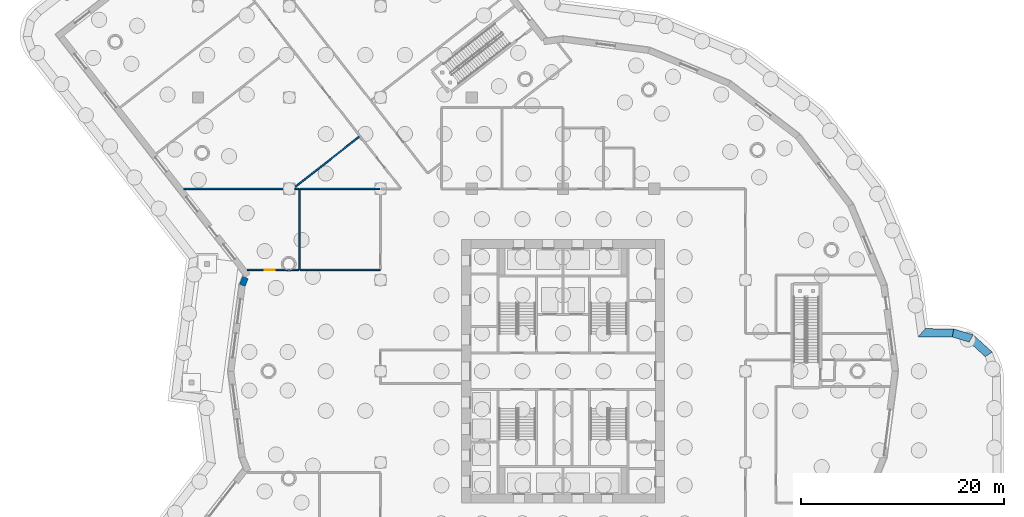
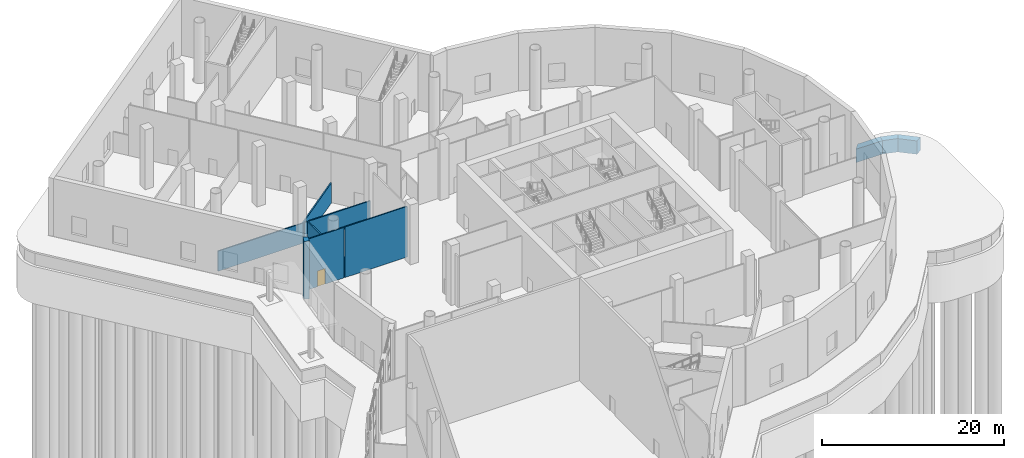
# One storey, part 15 of 34: 11 walls, 1 door, 1 opening.
"""IFC4 building model written with IfcOpenShell, lengths in metres."""

import ifcopenshell
import ifcopenshell.guid

model = None  # the IFC model being written
_history = None  # IfcOwnerHistory: only IFC2X3 demands one
_inside = {}  # id of a spatial element -> (the spatial element, [elements in it])
_under = {}  # id of a project, library or spatial element -> (it, [spatial elements below it])
_declared = {}  # id of a project -> (the project, [libraries it declares])
_typed = {}  # id of a type object -> (the type object, [elements of that type])
_made_of = {}  # id of a material, layer set ... -> (it, [elements and type objects made of it])


def new_model(schema):
    """Start an empty IFC model of exactly this schema.

    Asked for "IFC4X3", IfcOpenShell would pick the latest addendum, in which some entities
    have other attributes; the version numbers below select the first issue.
    IFC2X3 requires an IfcOwnerHistory on every rooted entity: one is made here for all.
    """
    global model, _history
    if schema == "IFC4X3":
        model = ifcopenshell.file(schema_version=(4, 3, 0, 0))
    else:
        model = ifcopenshell.file(schema=schema)
    _inside.clear()
    _under.clear()
    _declared.clear()
    _typed.clear()
    _made_of.clear()
    _history = None
    if model.schema == "IFC2X3":
        org = make("IfcOrganization", Name="unknown")
        user = make(
            "IfcPersonAndOrganization",
            ThePerson=make("IfcPerson", FamilyName="unknown"),
            TheOrganization=org,
        )
        app = make(
            "IfcApplication",
            ApplicationDeveloper=org,
            Version="unknown",
            ApplicationFullName="unknown",
            ApplicationIdentifier="unknown",
        )
        _history = make(
            "IfcOwnerHistory",
            OwningUser=user,
            OwningApplication=app,
            ChangeAction="ADDED",
            CreationDate=0,
        )
    return model


def make(cls, **values):
    """One entity of the class cls with the attributes given. An attribute that is None is left unset."""
    return model.create_entity(
        cls, **{name: value for name, value in values.items() if value is not None}
    )


def rooted(cls, **values):
    """An entity with a GlobalId (a new one), such as an element, a storey or a relation."""
    return make(cls, GlobalId=ifcopenshell.guid.new(), OwnerHistory=_history, **values)


def si_unit(unit_type, name, prefix=None):
    """IfcSIUnit, for example si_unit("LENGTHUNIT", "METRE", prefix="MILLI")."""
    return make("IfcSIUnit", UnitType=unit_type, Prefix=prefix, Name=name)


def assignment(units):
    """IfcUnitAssignment: the units of a project."""
    return None if units is None else make("IfcUnitAssignment", Units=units)


def point(xyz):
    """IfcCartesianPoint."""
    return None if xyz is None else make("IfcCartesianPoint", Coordinates=xyz)


def direction(xyz):
    """IfcDirection."""
    return None if xyz is None else make("IfcDirection", DirectionRatios=xyz)


def frame(location, z_axis=None, x_axis=None):
    """IfcAxis2Placement3D, a coordinate frame: its origin and axes. An axis left out is left unset."""
    return make(
        "IfcAxis2Placement3D",
        Location=point(location),
        Axis=direction(z_axis),
        RefDirection=direction(x_axis),
    )


def frame_2d(location, x_axis=None):
    """IfcAxis2Placement2D, a coordinate frame in the plane: its origin and x axis."""
    return make(
        "IfcAxis2Placement2D", Location=point(location), RefDirection=direction(x_axis)
    )


def origin():
    """The frame at (0, 0, 0) with its axes left unset."""
    return frame((0.0, 0.0, 0.0))


def place(relative_to, where):
    """IfcLocalPlacement: puts the frame where relative to a parent placement (None: the world)."""
    return make(
        "IfcLocalPlacement", PlacementRelTo=relative_to, RelativePlacement=where
    )


def context(
    kind, dimensions, precision=None, world=None, true_north=None, identifier=None
):
    """IfcGeometricRepresentationContext, for example the 3D "Model" context."""
    return make(
        "IfcGeometricRepresentationContext",
        ContextIdentifier=identifier,
        ContextType=kind,
        CoordinateSpaceDimension=dimensions,
        Precision=precision,
        WorldCoordinateSystem=world,
        TrueNorth=true_north,
    )


def subcontext(parent, identifier, kind, view, scale=None):
    """IfcGeometricRepresentationSubContext, for example "Body" below "Model"."""
    return make(
        "IfcGeometricRepresentationSubContext",
        ContextIdentifier=identifier,
        ContextType=kind,
        ParentContext=parent,
        TargetScale=scale,
        TargetView=view,
    )


def project(units=None, contexts=None):
    """IfcProject with its units and contexts."""
    return rooted(
        "IfcProject",
        Name="project",
        RepresentationContexts=contexts,
        UnitsInContext=assignment(units),
    )


def spatial(cls, under=None, at=None, **own):
    """A site, building, storey or space (cls), placed at a placement, below another one or the project."""
    s = rooted(cls, ObjectPlacement=at, **own)
    if under is not None:
        _under.setdefault(under.id(), (under, []))[1].append(s)
    return s


def polyline(points):
    """IfcPolyline through the points."""
    return make("IfcPolyline", Points=[point(p) for p in points])


def profile(cls, at=None, kind="AREA", **sizes):
    """A parametric profile (cls). Its sizes go by their IFC names, for example OverallWidth=200.0."""
    return make(cls, ProfileType=kind, Position=at, **sizes)


def rectangle(**sizes):
    """IfcRectangleProfileDef."""
    return profile("IfcRectangleProfileDef", **sizes)


def outline(outer, holes=None, kind="AREA"):
    """IfcArbitraryClosedProfileDef: a profile drawn as a closed curve; with holes, ...WithVoids."""
    if holes is None:
        return make("IfcArbitraryClosedProfileDef", ProfileType=kind, OuterCurve=outer)
    return make(
        "IfcArbitraryProfileDefWithVoids",
        ProfileType=kind,
        OuterCurve=outer,
        InnerCurves=holes,
    )


def extrude(swept, where, along, depth):
    """IfcExtrudedAreaSolid: the profile swept, set in the frame where, extruded along a direction by depth."""
    return make(
        "IfcExtrudedAreaSolid",
        SweptArea=swept,
        Position=where,
        ExtrudedDirection=direction(along),
        Depth=depth,
    )


def shape(context_of_items, identifier, shape_type, items):
    """IfcShapeRepresentation: the items that make up one representation, for example the "Body"."""
    return make(
        "IfcShapeRepresentation",
        ContextOfItems=context_of_items,
        RepresentationIdentifier=identifier,
        RepresentationType=shape_type,
        Items=items,
    )


def material(Name=None, Category=None):
    """IfcMaterial."""
    return make("IfcMaterial", Name=Name, Category=Category)


def layer(
    of_material, thickness, ventilated=None, Name=None, Category=None, Priority=None
):
    """IfcMaterialLayer: one layer of a wall or slab, of a material (None: an air gap)."""
    return make(
        "IfcMaterialLayer",
        Material=of_material,
        LayerThickness=thickness,
        IsVentilated=ventilated,
        Name=Name,
        Category=Category,
        Priority=Priority,
    )


def layer_set(layers, Name=None):
    """IfcMaterialLayerSet."""
    return make("IfcMaterialLayerSet", MaterialLayers=layers, LayerSetName=Name)


def made_of(thing, what):
    """Note that an element or type object is made of a material, layer set ...; save() writes the relation."""
    if what is not None:
        _made_of.setdefault(what.id(), (what, []))[1].append(thing)
    return thing


def type_object(cls, material=None, **own):
    """A type object (cls), such as IfcWallType, which elements share."""
    return made_of(rooted(cls, **own), material)


def element(
    cls,
    number,
    at=None,
    inside=None,
    cuts=None,
    type_object=None,
    material=None,
    context=None,
    identifier="Body",
    shape_type=None,
    held_by="IfcProductDefinitionShape",
    body=None,
    shapes=None,
    **own,
):
    """One element of the class cls, such as IfcWall. Its Tag is "e" and its number.

    at: its placement. inside: the storey or other place that contains it. cuts: it is an
    opening in that element (IfcRelVoidsElement). A single representation is given by context,
    identifier, shape_type and body (its items); several are given by shapes. held_by: the class
    of the entity that holds the representations. save() writes the other relations.
    """
    e = rooted(cls, Tag="e%d" % number, ObjectPlacement=at, **own)
    if body is not None:
        shapes = [shape(context, identifier, shape_type, body)]
    if shapes is not None:
        e.Representation = make(held_by, Representations=shapes)
    if inside is not None:
        _inside.setdefault(inside.id(), (inside, []))[1].append(e)
    if cuts is not None:
        rooted(
            "IfcRelVoidsElement", RelatingBuildingElement=cuts, RelatedOpeningElement=e
        )
    if type_object is not None:
        _typed.setdefault(type_object.id(), (type_object, []))[1].append(e)
    return made_of(e, material)


def fill(opening, filler):
    """IfcRelFillsElement: the door or window that sits in an opening."""
    return rooted(
        "IfcRelFillsElement",
        RelatingOpeningElement=opening,
        RelatedBuildingElement=filler,
    )


def aggregate(whole, parts):
    """IfcRelAggregates: a whole, such as a stair, and the parts it consists of."""
    return rooted("IfcRelAggregates", RelatingObject=whole, RelatedObjects=parts)


def save(model, path):
    """Write the relations noted so far, then the file.

    IfcRelAggregates (storeys below a building ...), IfcRelContainedInSpatialStructure (elements
    in a storey), IfcRelDefinesByType, IfcRelAssociatesMaterial and IfcRelDeclares: one each for
    every whole, place, type object, material and project.
    """
    for whole, parts in _under.values():
        aggregate(whole, parts)
    for where, things in _inside.values():
        rooted(
            "IfcRelContainedInSpatialStructure",
            RelatedElements=things,
            RelatingStructure=where,
        )
    for kind, things in _typed.values():
        rooted("IfcRelDefinesByType", RelatedObjects=things, RelatingType=kind)
    for what, things in _made_of.values():
        rooted("IfcRelAssociatesMaterial", RelatedObjects=things, RelatingMaterial=what)
    for by, libraries in _declared.values():
        rooted("IfcRelDeclares", RelatingContext=by, RelatedDefinitions=libraries)
    model.write(path)


model = new_model("IFC4")

# Units and contexts
model_context = context("Model", 3, precision=1e-05, world=origin(), true_north=direction((0.0, 1.0)))
body_context = subcontext(model_context, "Body", "Model", "MODEL_VIEW")
ifc_project = project(units=[si_unit("LENGTHUNIT", "METRE"), si_unit("AREAUNIT", "SQUARE_METRE"), si_unit("VOLUMEUNIT", "CUBIC_METRE"), si_unit("PLANEANGLEUNIT", "RADIAN"), si_unit("MASSUNIT", "GRAM", prefix="KILO")], contexts=[model_context])

# Site, building, storey
site_placement = place(None, origin())
site = spatial("IfcSite", under=ifc_project, at=site_placement, CompositionType="ELEMENT")
building_placement = place(site_placement, origin())
building = spatial("IfcBuilding", under=site, at=building_placement, Name="Tarsis Ring Headquarters", CompositionType="ELEMENT")
storey_placement = place(building_placement, origin())
storey = spatial("IfcBuildingStorey", under=building, at=storey_placement, Name="L00", CompositionType="ELEMENT", Elevation=0.0)

# Walls
ifc_material_1 = material(Name="Concrete C40/50", Category="concrete")
ifc_layer_1 = layer(ifc_material_1, 0.800048828125)
ifc_layer_set_1 = layer_set([ifc_layer_1], Name="FD Plinth wall 800")
wall_type_1 = type_object("IfcWallType", Name="FD Plinth wall 800", PredefinedType="SOLIDWALL", material=ifc_layer_set_1)
wall_1_placement = place(storey_placement, frame((0.0, 0.0, -2.0)))
element("IfcWall", 1, at=wall_1_placement, inside=storey, type_object=wall_type_1, Name="Plinth wall 7", PredefinedType="SOLIDWALL", context=body_context, shape_type="SweptSolid", body=[
    extrude(outline(polyline([(42.333251953125, 1.895263671875), (40.46435546875, 3.589111328125), (40.060302734375, 2.875732421875), (41.6474609375, 1.437255859375), (42.333251953125, 1.895263671875)])), origin(), (0.0, 0.0, 1.0), 1.800048828125),
])
wall_2_placement = place(storey_placement, frame((0.0, 0.0, -2.0)))
element("IfcWall", 2, at=wall_2_placement, inside=storey, type_object=wall_type_1, Name="Plinth wall 8", PredefinedType="SOLIDWALL", context=body_context, shape_type="SweptSolid", body=[
    extrude(outline(polyline([(40.46435546875, 3.589111328125), (38.53125, 4.175537109375), (38.40966796875, 3.37646484375), (40.060302734375, 2.875732421875), (40.46435546875, 3.589111328125)])), origin(), (0.0, 0.0, 1.0), 1.800048828125),
])
wall_3_placement = place(storey_placement, frame((0.0, 0.0, -2.0)))
element("IfcWall", 3, at=wall_3_placement, inside=storey, type_object=wall_type_1, Name="Plinth wall 9", PredefinedType="SOLIDWALL", context=body_context, shape_type="SweptSolid", body=[
    extrude(outline(polyline([(38.53125, 4.175537109375), (35.732666015625, 4.197265625), (35.035888671875, 3.402587890625), (38.40966796875, 3.37646484375), (38.53125, 4.175537109375)])), origin(), (0.0, 0.0, 1.0), 1.800048828125),
])
ifc_material_2 = material(Name="Plasterboard partition")
ifc_layer_2 = layer(ifc_material_2, 0.14990234375)
ifc_layer_set_2 = layer_set([ifc_layer_2], Name="PO-PW150")
wall_type_2 = type_object("IfcWallType", Name="PO-PW150", PredefinedType="PARTITIONING", material=ifc_layer_set_2)
wall_4_placement = place(storey_placement, frame((-26.66357421875, 18.0, 0.0), z_axis=(0.0, 0.0, 1.0), x_axis=(-1.0, 0.0, 0.0)))
element("IfcWall", 4, at=wall_4_placement, inside=storey, type_object=wall_type_2, Name="L00 partition wall 14", PredefinedType="PARTITIONING", context=body_context, shape_type="SweptSolid", body=[
    extrude(rectangle(XDim=10.74951171875, YDim=0.14990234375, at=frame_2d((5.374755859375, 0.0))), origin(), (0.0, 0.0, 1.0), 2.699951171875),
])
wall_5_placement = place(storey_placement, frame((-20.084228515625, 23.140380859375, 0.0), z_axis=(0.0, 0.0, 1.0), x_axis=(-0.788008857615, -0.615663902077, 0.0)))
element("IfcWall", 5, at=wall_5_placement, inside=storey, type_object=wall_type_2, Name="L00 partition wall 31", PredefinedType="PARTITIONING", context=body_context, shape_type="SweptSolid", body=[
    extrude(rectangle(XDim=8.349365234375, YDim=0.14990234375, at=frame_2d((4.1748046875, 0.0))), origin(), (0.0, 0.0, 1.0), 2.699951171875),
])
wall_6_placement = place(storey_placement, frame((-18.080078125, 18.0, 0.0), z_axis=(0.0, 0.0, 1.0), x_axis=(-1.0, 0.0, 0.0)))
element("IfcWall", 6, at=wall_6_placement, inside=storey, type_object=wall_type_2, Name="L00 partition wall 33", PredefinedType="PARTITIONING", context=body_context, shape_type="SweptSolid", body=[
    extrude(rectangle(XDim=7.83984375, YDim=0.14990234375, at=frame_2d((3.919921875, 0.0))), origin(), (0.0, 0.0, 1.0), 2.699951171875),
])
wall_7_placement = place(storey_placement, frame((-26.0, 18.0, 0.0), z_axis=(0.0, 0.0, 1.0), x_axis=(0.0, -1.0, 0.0)))
element("IfcWall", 7, at=wall_7_placement, inside=storey, type_object=wall_type_2, Name="L00 partition wall 34", PredefinedType="PARTITIONING", context=body_context, shape_type="SweptSolid", body=[
    extrude(rectangle(XDim=8.0, YDim=0.14990234375, at=frame_2d((4.0, 0.0))), origin(), (0.0, 0.0, 1.0), 2.699951171875),
])
wall_8_placement = place(storey_placement, frame((-26.080078125, 18.0, 0.0), z_axis=(0.0, 0.0, 1.0), x_axis=(-1.0, 0.0, 0.0)))
element("IfcWall", 8, at=wall_8_placement, inside=storey, type_object=wall_type_2, Name="L00 partition wall 101", PredefinedType="PARTITIONING", context=body_context, shape_type="SweptSolid", body=[
    extrude(rectangle(XDim=0.363525390625, YDim=0.14990234375, at=frame_2d((0.181640625, 0.0))), origin(), (0.0, 0.0, 1.0), 2.699951171875),
])
ifc_layer_3 = layer(ifc_material_2, 0.14990234375)
ifc_layer_set_3 = layer_set([ifc_layer_3], Name="PO-PW150R-6783")
wall_type_3 = type_object("IfcWallType", Name="PO-PW150R-6783", PredefinedType="PARTITIONING", material=ifc_layer_set_3)
wall_9_placement = place(storey_placement, frame((-25.919921875, 10.0, 0.0), z_axis=(0.0, 0.0, 1.0), x_axis=(1.0, 0.0, 0.0)))
element("IfcWall", 9, at=wall_9_placement, inside=storey, type_object=wall_type_3, Name="L00 partition wall 37", PredefinedType="PARTITIONING", context=body_context, shape_type="SweptSolid", body=[
    extrude(rectangle(XDim=7.8798828125, YDim=0.14990234375, at=frame_2d((3.93994140625, 0.0))), origin(), (0.0, 0.0, 1.0), 6.782958984375),
])

# Wall, opening, door
wall_10_placement = place(storey_placement, frame((-31.162841796875, 10.0, 0.0), z_axis=(0.0, 0.0, 1.0), x_axis=(1.0, 0.0, 0.0)))
wall_10 = element("IfcWall", 10, at=wall_10_placement, inside=storey, type_object=wall_type_3, Name="L00 partition wall 65", PredefinedType="PARTITIONING", context=body_context, shape_type="SweptSolid", body=[
    extrude(rectangle(XDim=5.082763671875, YDim=0.14990234375, at=frame_2d((2.54150390625, 0.0))), origin(), (0.0, 0.0, 1.0), 6.782958984375),
])
opening_placement = place(wall_10_placement, frame((1.7333984375, 0.0, 0.0)))
opening = element("IfcOpeningElement", 11, at=opening_placement, cuts=wall_10, Name="Opening PO-D1", PredefinedType="OPENING", context=body_context, shape_type="SweptSolid", body=[
    extrude(rectangle(XDim=1.0, YDim=2.10009765625, at=frame_2d((0.5, 1.050048828125))), frame((0.0, 0.0849609375, 0.0), z_axis=(0.0, -1.0, 0.0), x_axis=(1.0, 0.0, 0.0)), (0.0, 0.0, 1.0), 0.169921875),
])
ifc_material_3 = material(Name="Timber door", Category="wood")
door_type = type_object("IfcDoorType", Name="PO-D1000", OperationType="NOTDEFINED", PredefinedType="DOOR", material=ifc_material_3)
door_placement = place(opening_placement, origin())
door = element("IfcDoor", 12, at=door_placement, inside=storey, type_object=door_type, Name="Fire command centre door", OperationType="SINGLE_SWING_LEFT", OverallHeight=2.10009765625, OverallWidth=1.0, PredefinedType="DOOR", context=body_context, shape_type="SweptSolid", body=[
    extrude(rectangle(XDim=1.0, YDim=2.10009765625, at=frame_2d((0.5, 1.050048828125))), frame((0.0, 0.02490234375, 0.0), z_axis=(0.0, -1.0, 0.0), x_axis=(1.0, 0.0, 0.0)), (0.0, 0.0, 1.0), 0.050048828125),
])
fill(opening, door)

# Wall
ifc_material_4 = material(Name="Concrete C60/75", Category="concrete")
ifc_layer_4 = layer(ifc_material_4, 0.60009765625)
ifc_layer_set_4 = layer_set([ifc_layer_4], Name="PO-W600")
wall_type_4 = type_object("IfcWallType", Name="PO-W600", PredefinedType="SOLIDWALL", material=ifc_layer_set_4)
wall_11_placement = place(storey_placement, frame((-31.325927734375, 9.24072265625, 0.0), z_axis=(0.0, 0.0, 1.0), x_axis=(-0.382534701942, -0.923941124645, 0.0)))
element("IfcWall", 13, at=wall_11_placement, inside=storey, type_object=wall_type_4, Name="L00 external wall 2", PredefinedType="SOLIDWALL", context=body_context, shape_type="SweptSolid", body=[
    extrude(rectangle(XDim=0.8251953125, YDim=0.60009765625, at=frame_2d((0.41259765625, 0.0))), origin(), (0.0, 0.0, 1.0), 7.75),
])

save(model, "model.ifc")
